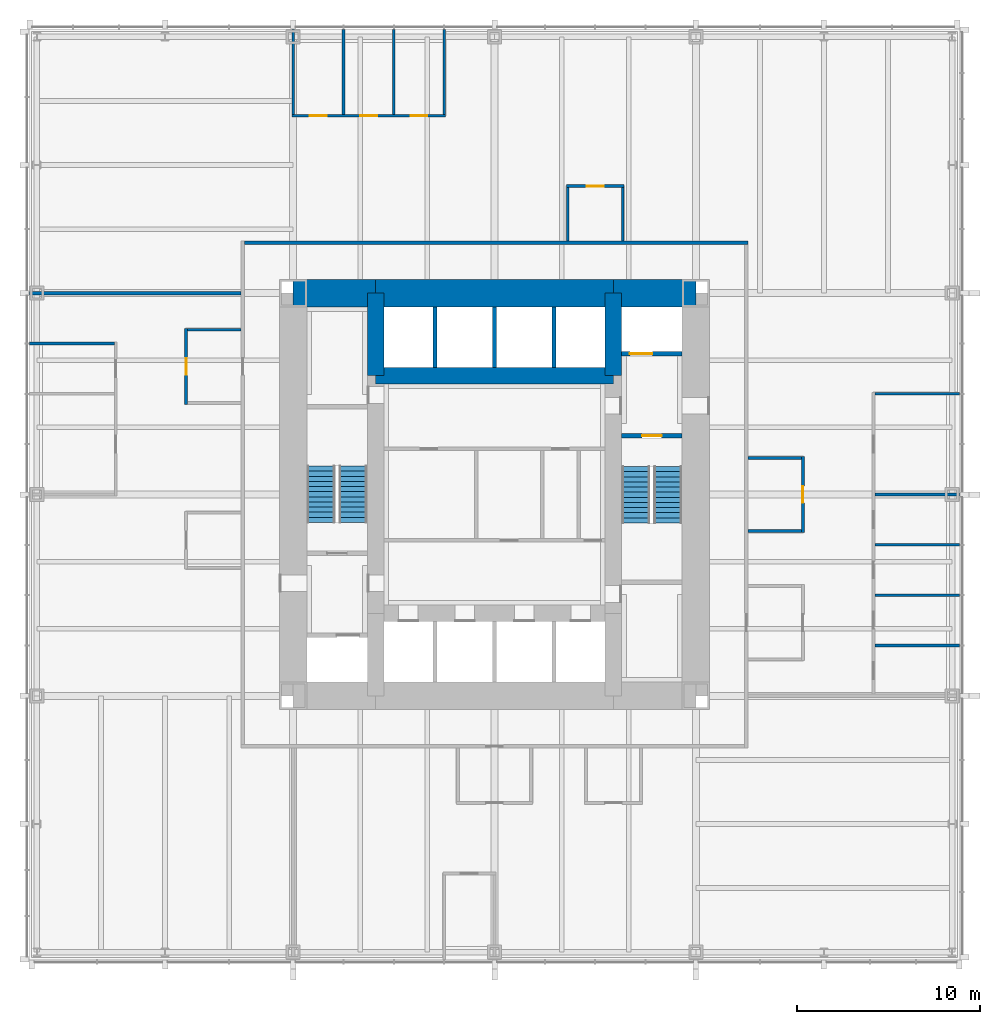
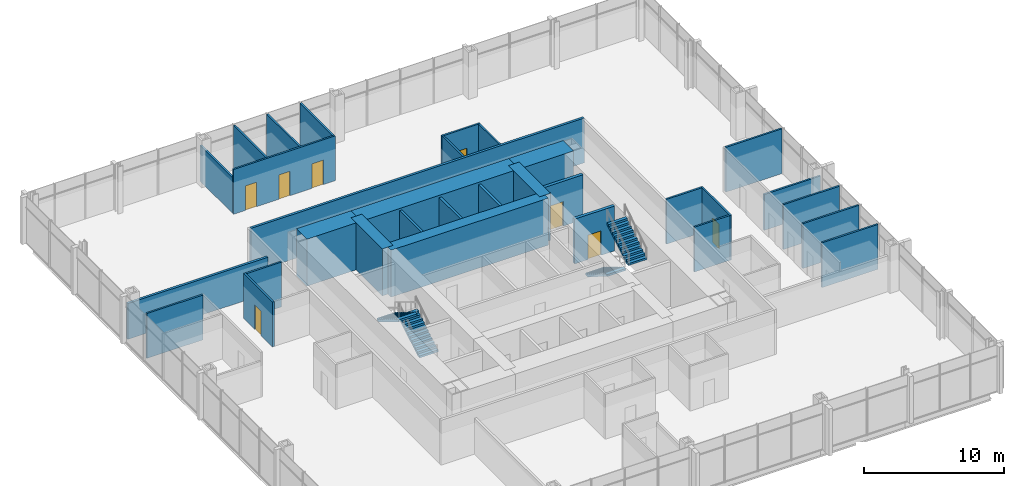
# One storey, part 11 of 12: 32 walls, 8 doors, 4 stair flights, 8 openings, 2 elements without a shape of their own.
"""IFC4 building model written with IfcOpenShell, lengths in metres."""

from ifc_helpers import new_model, si_unit, direction, frame, frame_2d, origin, place, context, subcontext, project, spatial, polyline, rectangle, outline, extrude, material, layer, layer_set, type_object, element, fill, aggregate, save


model = new_model("IFC4")

# Units and contexts
model_context = context("Model", 3, precision=1e-05, world=origin(), true_north=direction((0.0, 1.0)))
body_context = subcontext(model_context, "Body", "Model", "MODEL_VIEW")
ifc_project = project(units=[si_unit("LENGTHUNIT", "METRE"), si_unit("AREAUNIT", "SQUARE_METRE"), si_unit("VOLUMEUNIT", "CUBIC_METRE"), si_unit("PLANEANGLEUNIT", "RADIAN"), si_unit("MASSUNIT", "GRAM", prefix="KILO")], contexts=[model_context])

# Site, building, storey
site_placement = place(None, origin())
site = spatial("IfcSite", under=ifc_project, at=site_placement, CompositionType="ELEMENT")
building_placement = place(site_placement, origin())
building = spatial("IfcBuilding", under=site, at=building_placement, Name="Trevanion Tower", CompositionType="ELEMENT")
storey_placement = place(building_placement, frame((0.0, 0.0, 32.39990234375)))
storey = spatial("IfcBuildingStorey", under=building, at=storey_placement, Name="L07", CompositionType="ELEMENT", Elevation=32.39990234375)

# Walls
ifc_material_1 = material(Name="Concrete 10,000 psi", Category="concrete")
ifc_layer_1 = layer(ifc_material_1, 1.5)
ifc_layer_set_1 = layer_set([ifc_layer_1], Name="CW1 core wall 1500")
wall_type_1 = type_object("IfcWallType", Name="CW1 core wall 1500", PredefinedType="SHEAR", material=ifc_layer_set_1)
wall_1_placement = place(storey_placement, frame((11.0, 11.0, 0.0), z_axis=(0.0, 0.0, 1.0), x_axis=(-1.0, 0.0, 0.0)))
element("IfcWall", 1, at=wall_1_placement, inside=storey, type_object=wall_type_1, Name="CW1 CN1 L07", PredefinedType="SHEAR", context=body_context, shape_type="SweptSolid", body=[
    extrude(rectangle(XDim=4.5, YDim=1.5, at=frame_2d((2.25, 0.0))), origin(), (0.0, 0.0, 1.0), 4.10009765625),
])
wall_2_placement = place(storey_placement, frame((6.5, 11.0, 0.0), z_axis=(0.0, 0.0, 1.0), x_axis=(-1.0, 0.0, 0.0)))
element("IfcWall", 2, at=wall_2_placement, inside=storey, type_object=wall_type_1, Name="CW1 CN2 L07", PredefinedType="SHEAR", context=body_context, shape_type="SweptSolid", body=[
    extrude(rectangle(XDim=13.0, YDim=1.5, at=frame_2d((6.5, 0.0))), origin(), (0.0, 0.0, 1.0), 4.10009765625),
])
wall_3_placement = place(storey_placement, frame((-6.5, 11.0, 0.0), z_axis=(0.0, 0.0, 1.0), x_axis=(-1.0, 0.0, 0.0)))
element("IfcWall", 3, at=wall_3_placement, inside=storey, type_object=wall_type_1, Name="CW1 CN3 L07", PredefinedType="SHEAR", context=body_context, shape_type="SweptSolid", body=[
    extrude(rectangle(XDim=4.5, YDim=1.5, at=frame_2d((2.25, 0.0))), origin(), (0.0, 0.0, 1.0), 4.10009765625),
])
ifc_material_2 = material(Name="Concrete 10,000 psi", Category="concrete")
ifc_layer_2 = layer(ifc_material_2, 0.89990234375)
ifc_layer_set_2 = layer_set([ifc_layer_2], Name="CW2 core wall 900")
wall_type_2 = type_object("IfcWallType", Name="CW2 core wall 900", PredefinedType="SHEAR", material=ifc_layer_set_2)
for number, where, z_axis, x_axis, name in (
    (4, (6.5, 6.5, 0.0), (0.0, 0.0, 1.0), (0.0, 1.0, 0.0), "CW2 RE3 L07"),
    (5, (-6.5, 11.0, 0.0), (0.0, 0.0, 1.0), (0.0, -1.0, 0.0), "CW2 RW1 L07"),
):
    element("IfcWall", number, at=place(storey_placement, frame(where, z_axis=z_axis, x_axis=x_axis)), inside=storey, type_object=wall_type_2, Name=name, PredefinedType="SHEAR", context=body_context, shape_type="SweptSolid", body=[
        extrude(rectangle(XDim=4.5, YDim=0.89990234375, at=frame_2d((2.25, 0.0))), origin(), (0.0, 0.0, 1.0), 4.10009765625),
    ])
wall_4_placement = place(storey_placement, frame((6.5, 6.5, 0.0), z_axis=(0.0, 0.0, 1.0), x_axis=(-1.0, 0.0, 0.0)))
element("IfcWall", 6, at=wall_4_placement, inside=storey, type_object=wall_type_2, Name="CW2 RN L07", PredefinedType="SHEAR", context=body_context, shape_type="SweptSolid", body=[
    extrude(rectangle(XDim=13.0, YDim=0.89990234375, at=frame_2d((6.5, 0.0))), origin(), (0.0, 0.0, 1.0), 4.10009765625),
])
ifc_material_3 = material(Name="Gypsum board on steel studs", Category="steel")
ifc_layer_3 = layer(ifc_material_3, 0.14990234375)
ifc_layer_set_3 = layer_set([ifc_layer_3], Name="PT1 partition 150")
wall_type_3 = type_object("IfcWallType", Name="PT1 partition 150", PredefinedType="PARTITIONING", material=ifc_layer_set_3)
for number, where, z_axis, x_axis, name in (
    (7, (20.77490234375, -8.25, 0.0), (0.0, 0.0, 1.0), (1.0, 0.0, 0.0), "PT1 L07 FC0S1"),
    (8, (20.77490234375, -5.5, 0.0), (0.0, 0.0, 1.0), (1.0, 0.0, 0.0), "PT1 L07 FC0S2"),
    (9, (20.77490234375, -2.75, 0.0), (0.0, 0.0, 1.0), (1.0, 0.0, 0.0), "PT1 L07 FC0S3"),
):
    element("IfcWall", number, at=place(storey_placement, frame(where, z_axis=z_axis, x_axis=x_axis)), inside=storey, type_object=wall_type_3, Name=name, PredefinedType="PARTITIONING", context=body_context, shape_type="SweptSolid", body=[
        extrude(rectangle(XDim=4.64013671875, YDim=0.14990234375, at=frame_2d((2.320068359375, 0.0))), origin(), (0.0, 0.0, 1.0), 3.91015625),
    ])
wall_5_placement = place(storey_placement, frame((20.77490234375, 0.0, 0.0), z_axis=(0.0, 0.0, 1.0), x_axis=(1.0, 0.0, 0.0)))
element("IfcWall", 10, at=wall_5_placement, inside=storey, type_object=wall_type_3, Name="PT1 L07 FC0S4", PredefinedType="PARTITIONING", context=body_context, shape_type="SweptSolid", body=[
    extrude(rectangle(XDim=4.64013671875, YDim=0.14990234375, at=frame_2d((2.320068359375, 0.0))), origin(), (0.0, 0.0, 1.0), 3.13037109375),
])
wall_6_placement = place(storey_placement, frame((20.77490234375, 5.5, 0.0), z_axis=(0.0, 0.0, 1.0), x_axis=(1.0, 0.0, 0.0)))
element("IfcWall", 11, at=wall_6_placement, inside=storey, type_object=wall_type_3, Name="PT1 L07 FC0S6", PredefinedType="PARTITIONING", context=body_context, shape_type="SweptSolid", body=[
    extrude(rectangle(XDim=4.64013671875, YDim=0.14990234375, at=frame_2d((2.320068359375, 0.0))), origin(), (0.0, 0.0, 1.0), 3.91015625),
])

# Wall, openings, doors
wall_7_placement = place(storey_placement, frame((-2.675048828125, 20.699951171875, 0.0), z_axis=(0.0, 0.0, 1.0), x_axis=(-1.0, 0.0, 0.0)))
wall_7 = element("IfcWall", 12, at=wall_7_placement, inside=storey, type_object=wall_type_3, Name="PT1 L07 FC1F", PredefinedType="PARTITIONING", context=body_context, shape_type="SweptSolid", body=[
    extrude(rectangle(XDim=8.39990234375, YDim=0.14990234375, at=frame_2d((4.199951171875, 0.0))), origin(), (0.0, 0.0, 1.0), 3.91015625),
])
opening_1_placement = place(wall_7_placement, frame((0.992431640625, 0.0, 0.0)))
opening_1 = element("IfcOpeningElement", 13, at=opening_1_placement, cuts=wall_7, Name="Opening 07-024", PredefinedType="OPENING", context=body_context, shape_type="SweptSolid", body=[
    extrude(rectangle(XDim=0.9150390625, YDim=2.134033203125, at=frame_2d((0.45751953125, 1.06689453125))), frame((0.0, 0.0849609375, 0.0), z_axis=(0.0, -1.0, 0.0), x_axis=(1.0, 0.0, 0.0)), (0.0, 0.0, 1.0), 0.169921875),
])
opening_2_placement = place(wall_7_placement, frame((3.742431640625, 0.0, 0.0)))
opening_2 = element("IfcOpeningElement", 14, at=opening_2_placement, cuts=wall_7, Name="Opening 07-025", PredefinedType="OPENING", context=body_context, shape_type="SweptSolid", body=[
    extrude(rectangle(XDim=0.9150390625, YDim=2.134033203125, at=frame_2d((0.45751953125, 1.06689453125))), frame((0.0, 0.0849609375, 0.0), z_axis=(0.0, -1.0, 0.0), x_axis=(1.0, 0.0, 0.0)), (0.0, 0.0, 1.0), 0.169921875),
])
opening_3_placement = place(wall_7_placement, frame((6.492431640625, 0.0, 0.0)))
opening_3 = element("IfcOpeningElement", 15, at=opening_3_placement, cuts=wall_7, Name="Opening 07-026", PredefinedType="OPENING", context=body_context, shape_type="SweptSolid", body=[
    extrude(rectangle(XDim=0.9150390625, YDim=2.134033203125, at=frame_2d((0.45751953125, 1.06689453125))), frame((0.0, 0.0849609375, 0.0), z_axis=(0.0, -1.0, 0.0), x_axis=(1.0, 0.0, 0.0)), (0.0, 0.0, 1.0), 0.169921875),
])
ifc_material_4 = material(Name="Timber veneer, solid core", Category="wood")
door_type_1 = type_object("IfcDoorType", Name="D1 office and meeting room door", OperationType="SINGLE_SWING_LEFT", PredefinedType="DOOR", material=ifc_material_4)
door_1_placement = place(opening_1_placement, origin())
door_1 = element("IfcDoor", 16, at=door_1_placement, inside=storey, type_object=door_type_1, Name="Door 07-024", OperationType="SINGLE_SWING_LEFT", OverallHeight=2.134033203125, OverallWidth=0.9150390625, PredefinedType="DOOR", context=body_context, shape_type="SweptSolid", body=[
    extrude(rectangle(XDim=0.9150390625, YDim=2.134033203125, at=frame_2d((0.45751953125, 1.06689453125))), frame((0.0, 0.02490234375, 0.0), z_axis=(0.0, -1.0, 0.0), x_axis=(1.0, 0.0, 0.0)), (0.0, 0.0, 1.0), 0.050048828125),
])
fill(opening_1, door_1)
door_2_placement = place(opening_2_placement, origin())
door_2 = element("IfcDoor", 17, at=door_2_placement, inside=storey, type_object=door_type_1, Name="Door 07-025", OperationType="SINGLE_SWING_LEFT", OverallHeight=2.134033203125, OverallWidth=0.9150390625, PredefinedType="DOOR", context=body_context, shape_type="SweptSolid", body=[
    extrude(rectangle(XDim=0.9150390625, YDim=2.134033203125, at=frame_2d((0.45751953125, 1.06689453125))), frame((0.0, 0.02490234375, 0.0), z_axis=(0.0, -1.0, 0.0), x_axis=(1.0, 0.0, 0.0)), (0.0, 0.0, 1.0), 0.050048828125),
])
fill(opening_2, door_2)
door_3_placement = place(opening_3_placement, origin())
door_3 = element("IfcDoor", 18, at=door_3_placement, inside=storey, type_object=door_type_1, Name="Door 07-026", OperationType="SINGLE_SWING_LEFT", OverallHeight=2.134033203125, OverallWidth=0.9150390625, PredefinedType="DOOR", context=body_context, shape_type="SweptSolid", body=[
    extrude(rectangle(XDim=0.9150390625, YDim=2.134033203125, at=frame_2d((0.45751953125, 1.06689453125))), frame((0.0, 0.02490234375, 0.0), z_axis=(0.0, -1.0, 0.0), x_axis=(1.0, 0.0, 0.0)), (0.0, 0.0, 1.0), 0.050048828125),
])
fill(opening_3, door_3)

# Walls
for number, where, z_axis, x_axis, name in (
    (19, (-2.75, 20.77490234375, 0.0), (0.0, 0.0, 1.0), (0.0, 1.0, 0.0), "PT1 L07 FC1S0"),
    (20, (-5.5, 20.77490234375, 0.0), (0.0, 0.0, 1.0), (0.0, 1.0, 0.0), "PT1 L07 FC1S1"),
    (21, (-8.25, 20.77490234375, 0.0), (0.0, 0.0, 1.0), (0.0, 1.0, 0.0), "PT1 L07 FC1S2"),
):
    element("IfcWall", number, at=place(storey_placement, frame(where, z_axis=z_axis, x_axis=x_axis)), inside=storey, type_object=wall_type_3, Name=name, PredefinedType="PARTITIONING", context=body_context, shape_type="SweptSolid", body=[
        extrude(rectangle(XDim=4.64013671875, YDim=0.14990234375, at=frame_2d((2.320068359375, 0.0))), origin(), (0.0, 0.0, 1.0), 3.91015625),
    ])
wall_8_placement = place(storey_placement, frame((-11.0, 20.77490234375, 0.0), z_axis=(0.0, 0.0, 1.0), x_axis=(0.0, 1.0, 0.0)))
element("IfcWall", 22, at=wall_8_placement, inside=storey, type_object=wall_type_3, Name="PT1 L07 FC1S3", PredefinedType="PARTITIONING", context=body_context, shape_type="SweptSolid", body=[
    extrude(rectangle(XDim=4.64013671875, YDim=0.14990234375, at=frame_2d((2.320068359375, 0.0))), origin(), (0.0, 0.0, 1.0), 3.13037109375),
])
wall_9_placement = place(storey_placement, frame((-20.77490234375, 8.25, 0.0), z_axis=(0.0, 0.0, 1.0), x_axis=(-1.0, 0.0, 0.0)))
element("IfcWall", 23, at=wall_9_placement, inside=storey, type_object=wall_type_3, Name="PT1 L07 FC2S0", PredefinedType="PARTITIONING", context=body_context, shape_type="SweptSolid", body=[
    extrude(rectangle(XDim=4.64013671875, YDim=0.14990234375, at=frame_2d((2.320068359375, 0.0))), origin(), (0.0, 0.0, 1.0), 3.91015625),
])

# Wall, opening, door
wall_10_placement = place(storey_placement, frame((16.85009765625, -2.074951171875, 0.0), z_axis=(0.0, 0.0, 1.0), x_axis=(0.0, 1.0, 0.0)))
wall_10 = element("IfcWall", 24, at=wall_10_placement, inside=storey, type_object=wall_type_3, Name="PT1 L07 IN01F", PredefinedType="PARTITIONING", context=body_context, shape_type="SweptSolid", body=[
    extrude(rectangle(XDim=4.14990234375, YDim=0.14990234375, at=frame_2d((2.074951171875, 0.0))), origin(), (0.0, 0.0, 1.0), 3.91015625),
])
opening_4_placement = place(wall_10_placement, frame((1.617431640625, 0.0, 0.0)))
opening_4 = element("IfcOpeningElement", 25, at=opening_4_placement, cuts=wall_10, Name="Opening 07-032", PredefinedType="OPENING", context=body_context, shape_type="SweptSolid", body=[
    extrude(rectangle(XDim=0.9150390625, YDim=2.134033203125, at=frame_2d((0.45751953125, 1.06689453125))), frame((0.0, 0.0849609375, 0.0), z_axis=(0.0, -1.0, 0.0), x_axis=(1.0, 0.0, 0.0)), (0.0, 0.0, 1.0), 0.169921875),
])
door_4_placement = place(opening_4_placement, origin())
door_4 = element("IfcDoor", 26, at=door_4_placement, inside=storey, type_object=door_type_1, Name="Door 07-032", OperationType="SINGLE_SWING_LEFT", OverallHeight=2.134033203125, OverallWidth=0.9150390625, PredefinedType="DOOR", context=body_context, shape_type="SweptSolid", body=[
    extrude(rectangle(XDim=0.9150390625, YDim=2.134033203125, at=frame_2d((0.45751953125, 1.06689453125))), frame((0.0, 0.02490234375, 0.0), z_axis=(0.0, -1.0, 0.0), x_axis=(1.0, 0.0, 0.0)), (0.0, 0.0, 1.0), 0.050048828125),
])
fill(opening_4, door_4)

# Walls
for number, where, z_axis, x_axis, name in (
    (27, (16.77490234375, -2.0, 0.0), (0.0, 0.0, 1.0), (-1.0, 0.0, 0.0), "PT1 L07 IN01S0"),
    (28, (16.77490234375, 2.0, 0.0), (0.0, 0.0, 1.0), (-1.0, 0.0, 0.0), "PT1 L07 IN01S1"),
):
    element("IfcWall", number, at=place(storey_placement, frame(where, z_axis=z_axis, x_axis=x_axis)), inside=storey, type_object=wall_type_3, Name=name, PredefinedType="PARTITIONING", context=body_context, shape_type="SweptSolid", body=[
        extrude(rectangle(XDim=2.9248046875, YDim=0.14990234375, at=frame_2d((1.46240234375, 0.0))), origin(), (0.0, 0.0, 1.0), 3.91015625),
    ])

# Wall, opening, door
wall_11_placement = place(storey_placement, frame((-16.85009765625, 9.074951171875, 0.0), z_axis=(0.0, 0.0, 1.0), x_axis=(0.0, -1.0, 0.0)))
wall_11 = element("IfcWall", 29, at=wall_11_placement, inside=storey, type_object=wall_type_3, Name="PT1 L07 IN20F", PredefinedType="PARTITIONING", context=body_context, shape_type="SweptSolid", body=[
    extrude(rectangle(XDim=4.14990234375, YDim=0.14990234375, at=frame_2d((2.074951171875, 0.0))), origin(), (0.0, 0.0, 1.0), 3.91015625),
])
opening_5_placement = place(wall_11_placement, frame((1.617431640625, 0.0, 0.0)))
opening_5 = element("IfcOpeningElement", 30, at=opening_5_placement, cuts=wall_11, Name="Opening 07-033", PredefinedType="OPENING", context=body_context, shape_type="SweptSolid", body=[
    extrude(rectangle(XDim=0.9150390625, YDim=2.134033203125, at=frame_2d((0.45751953125, 1.06689453125))), frame((0.0, 0.0849609375, 0.0), z_axis=(0.0, -1.0, 0.0), x_axis=(1.0, 0.0, 0.0)), (0.0, 0.0, 1.0), 0.169921875),
])
door_5_placement = place(opening_5_placement, origin())
door_5 = element("IfcDoor", 31, at=door_5_placement, inside=storey, type_object=door_type_1, Name="Door 07-033", OperationType="SINGLE_SWING_LEFT", OverallHeight=2.134033203125, OverallWidth=0.9150390625, PredefinedType="DOOR", context=body_context, shape_type="SweptSolid", body=[
    extrude(rectangle(XDim=0.9150390625, YDim=2.134033203125, at=frame_2d((0.45751953125, 1.06689453125))), frame((0.0, 0.02490234375, 0.0), z_axis=(0.0, -1.0, 0.0), x_axis=(1.0, 0.0, 0.0)), (0.0, 0.0, 1.0), 0.050048828125),
])
fill(opening_5, door_5)

# Wall
wall_12_placement = place(storey_placement, frame((-16.77490234375, 9.0, 0.0), z_axis=(0.0, 0.0, 1.0), x_axis=(1.0, 0.0, 0.0)))
element("IfcWall", 32, at=wall_12_placement, inside=storey, type_object=wall_type_3, Name="PT1 L07 IN20S0", PredefinedType="PARTITIONING", context=body_context, shape_type="SweptSolid", body=[
    extrude(rectangle(XDim=2.9248046875, YDim=0.14990234375, at=frame_2d((1.46240234375, 0.0))), origin(), (0.0, 0.0, 1.0), 3.91015625),
])

# Wall, opening, door
wall_13_placement = place(storey_placement, frame((7.074951171875, 16.85009765625, 0.0), z_axis=(0.0, 0.0, 1.0), x_axis=(-1.0, 0.0, 0.0)))
wall_13 = element("IfcWall", 33, at=wall_13_placement, inside=storey, type_object=wall_type_3, Name="PT1 L07 IN10F", PredefinedType="PARTITIONING", context=body_context, shape_type="SweptSolid", body=[
    extrude(rectangle(XDim=3.14990234375, YDim=0.14990234375, at=frame_2d((1.574951171875, 0.0))), origin(), (0.0, 0.0, 1.0), 3.91015625),
])
opening_6_placement = place(wall_13_placement, frame((1.117431640625, 0.0, 0.0)))
opening_6 = element("IfcOpeningElement", 34, at=opening_6_placement, cuts=wall_13, Name="Opening 07-039", PredefinedType="OPENING", context=body_context, shape_type="SweptSolid", body=[
    extrude(rectangle(XDim=0.9150390625, YDim=2.134033203125, at=frame_2d((0.45751953125, 1.06689453125))), frame((0.0, 0.0849609375, 0.0), z_axis=(0.0, -1.0, 0.0), x_axis=(1.0, 0.0, 0.0)), (0.0, 0.0, 1.0), 0.169921875),
])
door_6_placement = place(opening_6_placement, origin())
door_6 = element("IfcDoor", 35, at=door_6_placement, inside=storey, type_object=door_type_1, Name="Door 07-039", OperationType="SINGLE_SWING_LEFT", OverallHeight=2.134033203125, OverallWidth=0.9150390625, PredefinedType="DOOR", context=body_context, shape_type="SweptSolid", body=[
    extrude(rectangle(XDim=0.9150390625, YDim=2.134033203125, at=frame_2d((0.45751953125, 1.06689453125))), frame((0.0, 0.02490234375, 0.0), z_axis=(0.0, -1.0, 0.0), x_axis=(1.0, 0.0, 0.0)), (0.0, 0.0, 1.0), 0.050048828125),
])
fill(opening_6, door_6)

# Walls
for number, where, z_axis, x_axis, name in (
    (36, (7.0, 16.77490234375, 0.0), (0.0, 0.0, 1.0), (0.0, -1.0, 0.0), "PT1 L07 IN10S0"),
    (37, (4.0, 16.77490234375, 0.0), (0.0, 0.0, 1.0), (0.0, -1.0, 0.0), "PT1 L07 IN10S1"),
):
    element("IfcWall", number, at=place(storey_placement, frame(where, z_axis=z_axis, x_axis=x_axis)), inside=storey, type_object=wall_type_3, Name=name, PredefinedType="PARTITIONING", context=body_context, shape_type="SweptSolid", body=[
        extrude(rectangle(XDim=2.9248046875, YDim=0.14990234375, at=frame_2d((1.46240234375, 0.0))), origin(), (0.0, 0.0, 1.0), 3.91015625),
    ])
ifc_material_5 = material(Name="Concrete masonry, grouted", Category="masonry")
ifc_layer_4 = layer(ifc_material_5, 0.199951171875)
ifc_layer_set_4 = layer_set([ifc_layer_4], Name="PT2 partition 200 1 HR")
wall_type_4 = type_object("IfcWallType", Name="PT2 partition 200 1 HR", PredefinedType="PARTITIONING", material=ifc_layer_set_4)
wall_14_placement = place(storey_placement, frame((13.85009765625, 13.75, 0.0), z_axis=(0.0, 0.0, 1.0), x_axis=(-1.0, 0.0, 0.0)))
element("IfcWall", 38, at=wall_14_placement, inside=storey, type_object=wall_type_4, Name="PT2 L07 OC1", PredefinedType="PARTITIONING", context=body_context, shape_type="SweptSolid", body=[
    extrude(rectangle(XDim=27.5, YDim=0.199951171875, at=frame_2d((13.75, 0.0))), origin(), (0.0, 0.0, 1.0), 3.91015625),
])
wall_15_placement = place(storey_placement, frame((-13.85009765625, 11.0, 0.0), z_axis=(0.0, 0.0, 1.0), x_axis=(-1.0, 0.0, 0.0)))
element("IfcWall", 39, at=wall_15_placement, inside=storey, type_object=wall_type_4, Name="PT2 L07 DM1", PredefinedType="PARTITIONING", context=body_context, shape_type="SweptSolid", body=[
    extrude(rectangle(XDim=11.56494140625, YDim=0.199951171875, at=frame_2d((5.782470703125, 0.0))), origin(), (0.0, 0.0, 1.0), 3.13037109375),
])
ifc_material_6 = material(Name="Concrete masonry, grouted", Category="masonry")
ifc_layer_5 = layer(ifc_material_6, 0.199951171875)
ifc_layer_set_5 = layer_set([ifc_layer_5], Name="PT2 partition 200 2 HR")
wall_type_5 = type_object("IfcWallType", Name="PT2 partition 200 2 HR", PredefinedType="PARTITIONING", material=ifc_layer_set_5)
for number, where, z_axis, x_axis, name in (
    (40, (-3.25, 6.949951171875, 0.0), (0.0, 0.0, 1.0), (0.0, 1.0, 0.0), "PT2 L07 NS0"),
    (41, (0.0, 6.949951171875, 0.0), (0.0, 0.0, 1.0), (0.0, 1.0, 0.0), "PT2 L07 NS1"),
    (42, (3.25, 6.949951171875, 0.0), (0.0, 0.0, 1.0), (0.0, 1.0, 0.0), "PT2 L07 NS2"),
):
    element("IfcWall", number, at=place(storey_placement, frame(where, z_axis=z_axis, x_axis=x_axis)), inside=storey, type_object=wall_type_5, Name=name, PredefinedType="PARTITIONING", context=body_context, shape_type="SweptSolid", body=[
        extrude(rectangle(XDim=3.300048828125, YDim=0.199951171875, at=frame_2d((1.64990234375, 0.0))), origin(), (0.0, 0.0, 1.0), 3.91015625),
    ])

# Wall, opening, door
ifc_material_7 = material(Name="Concrete masonry, grouted, two-hour", Category="masonry")
ifc_layer_6 = layer(ifc_material_7, 0.25)
ifc_layer_set_6 = layer_set([ifc_layer_6], Name="PT3 partition 250 2 HR")
wall_type_6 = type_object("IfcWallType", Name="PT3 partition 250 2 HR", PredefinedType="PARTITIONING", material=ifc_layer_set_6)
wall_16_placement = place(storey_placement, frame((6.949951171875, 7.699951171875, 0.0), z_axis=(0.0, 0.0, 1.0), x_axis=(1.0, 0.0, 0.0)))
wall_16 = element("IfcWall", 43, at=wall_16_placement, inside=storey, type_object=wall_type_6, Name="PT3 L07 EP3", PredefinedType="PARTITIONING", context=body_context, shape_type="SweptSolid", body=[
    extrude(rectangle(XDim=3.300048828125, YDim=0.25, at=frame_2d((1.64990234375, 0.0))), origin(), (0.0, 0.0, 1.0), 3.91015625),
])
opening_7_placement = place(wall_16_placement, frame((0.449951171875, 0.0, 0.0)))
opening_7 = element("IfcOpeningElement", 44, at=opening_7_placement, cuts=wall_16, Name="Opening 07-007", PredefinedType="OPENING", context=body_context, shape_type="SweptSolid", body=[
    extrude(rectangle(XDim=1.218994140625, YDim=2.134033203125, at=frame_2d((0.609375, 1.06689453125))), frame((0.0, 0.135009765625, 0.0), z_axis=(0.0, -1.0, 0.0), x_axis=(1.0, 0.0, 0.0)), (0.0, 0.0, 1.0), 0.27001953125),
])
ifc_material_8 = material(Name="Stainless steel, fire rated", Category="steel")
door_type_2 = type_object("IfcDoorType", Name="LD2 fire service lift landing door", OperationType="SLIDING_TO_LEFT", PredefinedType="DOOR", material=ifc_material_8)
door_7_placement = place(opening_7_placement, origin())
door_7 = element("IfcDoor", 45, at=door_7_placement, inside=storey, type_object=door_type_2, Name="Door 07-007", OperationType="SLIDING_TO_LEFT", OverallHeight=2.134033203125, OverallWidth=1.218994140625, PredefinedType="DOOR", context=body_context, shape_type="SweptSolid", body=[
    extrude(rectangle(XDim=1.218994140625, YDim=2.134033203125, at=frame_2d((0.609375, 1.06689453125))), frame((0.0, 0.02490234375, 0.0), z_axis=(0.0, -1.0, 0.0), x_axis=(1.0, 0.0, 0.0)), (0.0, 0.0, 1.0), 0.050048828125),
])
fill(opening_7, door_7)

ifc_material_9 = material(Name="Reinforced masonry, fully grouted", Category="masonry")
ifc_layer_7 = layer(ifc_material_9, 0.25)
ifc_layer_set_7 = layer_set([ifc_layer_7], Name="SW1 stair shaft wall 250")
wall_type_7 = type_object("IfcWallType", Name="SW1 stair shaft wall 250", PredefinedType="SOLIDWALL", material=ifc_layer_set_7)
wall_17_placement = place(storey_placement, frame((6.949951171875, 3.199951171875, 0.0), z_axis=(0.0, 0.0, 1.0), x_axis=(1.0, 0.0, 0.0)))
wall_17 = element("IfcWall", 46, at=wall_17_placement, inside=storey, type_object=wall_type_7, Name="SW1 L07 EP2", PredefinedType="SOLIDWALL", context=body_context, shape_type="SweptSolid", body=[
    extrude(rectangle(XDim=3.300048828125, YDim=0.25, at=frame_2d((1.64990234375, 0.0))), origin(), (0.0, 0.0, 1.0), 3.91015625),
])
opening_8_placement = place(wall_17_placement, frame((1.116455078125, 0.0, 0.0)))
opening_8 = element("IfcOpeningElement", 47, at=opening_8_placement, cuts=wall_17, Name="Opening 07-005", PredefinedType="OPENING", context=body_context, shape_type="SweptSolid", body=[
    extrude(rectangle(XDim=1.06689453125, YDim=2.134033203125, at=frame_2d((0.533447265625, 1.06689453125))), frame((0.0, 0.135009765625, 0.0), z_axis=(0.0, -1.0, 0.0), x_axis=(1.0, 0.0, 0.0)), (0.0, 0.0, 1.0), 0.27001953125),
])
ifc_material_10 = material(Name="Hollow metal, fire rated", Category="steel")
door_type_3 = type_object("IfcDoorType", Name="D2 exit stair door", OperationType="SINGLE_SWING_LEFT", PredefinedType="DOOR", material=ifc_material_10)
door_8_placement = place(opening_8_placement, origin())
door_8 = element("IfcDoor", 48, at=door_8_placement, inside=storey, type_object=door_type_3, Name="Door 07-005", OperationType="SINGLE_SWING_LEFT", OverallHeight=2.134033203125, OverallWidth=1.06689453125, PredefinedType="DOOR", context=body_context, shape_type="SweptSolid", body=[
    extrude(rectangle(XDim=1.06689453125, YDim=2.134033203125, at=frame_2d((0.533447265625, 1.06689453125))), frame((0.0, 0.02490234375, 0.0), z_axis=(0.0, -1.0, 0.0), x_axis=(1.0, 0.0, 0.0)), (0.0, 0.0, 1.0), 0.050048828125),
])
fill(opening_8, door_8)

# Stair, stair flights
ifc_material_11 = material(Name="Concrete 5,000 psi on steel stringers", Category="concrete")
stair_type = type_object("IfcStairType", Name="ST stair", PredefinedType="HALF_TURN_STAIR", material=ifc_material_11)
stair_1_placement = place(storey_placement, origin())
stair_1 = element("IfcStair", 49, at=stair_1_placement, inside=storey, type_object=stair_type, Name="ST1 L07", PredefinedType="HALF_TURN_STAIR")
ifc_material_12 = material(Name="Concrete 5,000 psi in steel pan", Category="concrete")
stair_flight_type = type_object("IfcStairFlightType", Name="STF stair flight", PredefinedType="STRAIGHT", material=ifc_material_12)
stair_flight_1_placement = place(storey_placement, frame((7.72509765625, 1.52490234375, 0.0), z_axis=(0.0, 0.0, 1.0), x_axis=(0.0, -1.0, 0.0)))
stair_flight_1 = element("IfcStairFlight", 50, at=stair_flight_1_placement, type_object=stair_flight_type, Name="ST1 flight 1", NumberOfRisers=12, NumberOfTreads=11, PredefinedType="STRAIGHT", RiserHeight=0.170833333, TreadLength=0.28, context=body_context, shape_type="SweptSolid", body=[
    extrude(outline(polyline([(0.0, 0.0), (0.0, 0.1708984375), (0.280029296875, 0.1708984375), (0.280029296875, 0.341552734375), (0.56005859375, 0.341552734375), (0.56005859375, 0.512451171875), (0.840087890625, 0.512451171875), (0.840087890625, 0.683349609375), (1.1201171875, 0.683349609375), (1.1201171875, 0.854248046875), (1.39990234375, 0.854248046875), (1.39990234375, 1.02490234375), (1.679931640625, 1.02490234375), (1.679931640625, 1.19580078125), (1.9599609375, 1.19580078125), (1.9599609375, 1.36669921875), (2.239990234375, 1.36669921875), (2.239990234375, 1.53759765625), (2.52001953125, 1.53759765625), (2.52001953125, 1.708251953125), (2.800048828125, 1.708251953125), (2.800048828125, 1.879150390625), (3.080078125, 1.879150390625), (3.080078125, 2.050048828125), (3.080078125, 1.70361328125), (0.287841796875, 0.0), (0.0, 0.0)])), frame((0.0, 0.77490234375, 0.0), z_axis=(0.0, -1.0, 0.0), x_axis=(1.0, 0.0, 0.0)), (0.0, 0.0, 1.0), 1.550048828125),
])
stair_flight_2_placement = place(storey_placement, frame((9.47509765625, -1.554931640625, 2.050048828125), z_axis=(0.0, 0.0, 1.0), x_axis=(0.0, 1.0, 0.0)))
stair_flight_2 = element("IfcStairFlight", 51, at=stair_flight_2_placement, type_object=stair_flight_type, Name="ST1 flight 2", NumberOfRisers=12, NumberOfTreads=11, PredefinedType="STRAIGHT", RiserHeight=0.170833333, TreadLength=0.28, context=body_context, shape_type="SweptSolid", body=[
    extrude(outline(polyline([(0.0, 0.0), (0.0, 0.1708984375), (0.280029296875, 0.1708984375), (0.280029296875, 0.341552734375), (0.56005859375, 0.341552734375), (0.56005859375, 0.512451171875), (0.840087890625, 0.512451171875), (0.840087890625, 0.683349609375), (1.1201171875, 0.683349609375), (1.1201171875, 0.854248046875), (1.39990234375, 0.854248046875), (1.39990234375, 1.02490234375), (1.679931640625, 1.02490234375), (1.679931640625, 1.19580078125), (1.9599609375, 1.19580078125), (1.9599609375, 1.36669921875), (2.239990234375, 1.36669921875), (2.239990234375, 1.53759765625), (2.52001953125, 1.53759765625), (2.52001953125, 1.708251953125), (2.800048828125, 1.708251953125), (2.800048828125, 1.879150390625), (3.080078125, 1.879150390625), (3.080078125, 2.050048828125), (3.080078125, 1.70361328125), (0.287841796875, 0.0), (0.0, 0.0)])), frame((0.0, 0.77490234375, 0.0), z_axis=(0.0, -1.0, 0.0), x_axis=(1.0, 0.0, 0.0)), (0.0, 0.0, 1.0), 1.550048828125),
])
aggregate(stair_1, [stair_flight_1, stair_flight_2])

stair_2_placement = place(storey_placement, origin())
stair_2 = element("IfcStair", 52, at=stair_2_placement, inside=storey, type_object=stair_type, Name="ST2 L07", PredefinedType="HALF_TURN_STAIR")
stair_flight_3_placement = place(storey_placement, frame((-7.72509765625, -1.52490234375, 0.0), z_axis=(0.0, 0.0, 1.0), x_axis=(0.0, 1.0, 0.0)))
stair_flight_3 = element("IfcStairFlight", 53, at=stair_flight_3_placement, type_object=stair_flight_type, Name="ST2 flight 1", NumberOfRisers=12, NumberOfTreads=11, PredefinedType="STRAIGHT", RiserHeight=0.170833333, TreadLength=0.28, context=body_context, shape_type="SweptSolid", body=[
    extrude(outline(polyline([(0.0, 0.0), (0.0, 0.1708984375), (0.280029296875, 0.1708984375), (0.280029296875, 0.341552734375), (0.56005859375, 0.341552734375), (0.56005859375, 0.512451171875), (0.840087890625, 0.512451171875), (0.840087890625, 0.683349609375), (1.1201171875, 0.683349609375), (1.1201171875, 0.854248046875), (1.39990234375, 0.854248046875), (1.39990234375, 1.02490234375), (1.679931640625, 1.02490234375), (1.679931640625, 1.19580078125), (1.9599609375, 1.19580078125), (1.9599609375, 1.36669921875), (2.239990234375, 1.36669921875), (2.239990234375, 1.53759765625), (2.52001953125, 1.53759765625), (2.52001953125, 1.708251953125), (2.800048828125, 1.708251953125), (2.800048828125, 1.879150390625), (3.080078125, 1.879150390625), (3.080078125, 2.050048828125), (3.080078125, 1.70361328125), (0.287841796875, 0.0), (0.0, 0.0)])), frame((0.0, 0.77490234375, 0.0), z_axis=(0.0, -1.0, 0.0), x_axis=(1.0, 0.0, 0.0)), (0.0, 0.0, 1.0), 1.550048828125),
])
stair_flight_4_placement = place(storey_placement, frame((-9.47509765625, 1.554931640625, 2.050048828125), z_axis=(0.0, 0.0, 1.0), x_axis=(0.0, -1.0, 0.0)))
stair_flight_4 = element("IfcStairFlight", 54, at=stair_flight_4_placement, type_object=stair_flight_type, Name="ST2 flight 2", NumberOfRisers=12, NumberOfTreads=11, PredefinedType="STRAIGHT", RiserHeight=0.170833333, TreadLength=0.28, context=body_context, shape_type="SweptSolid", body=[
    extrude(outline(polyline([(0.0, 0.0), (0.0, 0.1708984375), (0.280029296875, 0.1708984375), (0.280029296875, 0.341552734375), (0.56005859375, 0.341552734375), (0.56005859375, 0.512451171875), (0.840087890625, 0.512451171875), (0.840087890625, 0.683349609375), (1.1201171875, 0.683349609375), (1.1201171875, 0.854248046875), (1.39990234375, 0.854248046875), (1.39990234375, 1.02490234375), (1.679931640625, 1.02490234375), (1.679931640625, 1.19580078125), (1.9599609375, 1.19580078125), (1.9599609375, 1.36669921875), (2.239990234375, 1.36669921875), (2.239990234375, 1.53759765625), (2.52001953125, 1.53759765625), (2.52001953125, 1.708251953125), (2.800048828125, 1.708251953125), (2.800048828125, 1.879150390625), (3.080078125, 1.879150390625), (3.080078125, 2.050048828125), (3.080078125, 1.70361328125), (0.287841796875, 0.0), (0.0, 0.0)])), frame((0.0, 0.77490234375, 0.0), z_axis=(0.0, -1.0, 0.0), x_axis=(1.0, 0.0, 0.0)), (0.0, 0.0, 1.0), 1.550048828125),
])
aggregate(stair_2, [stair_flight_3, stair_flight_4])

save(model, "model.ifc")
